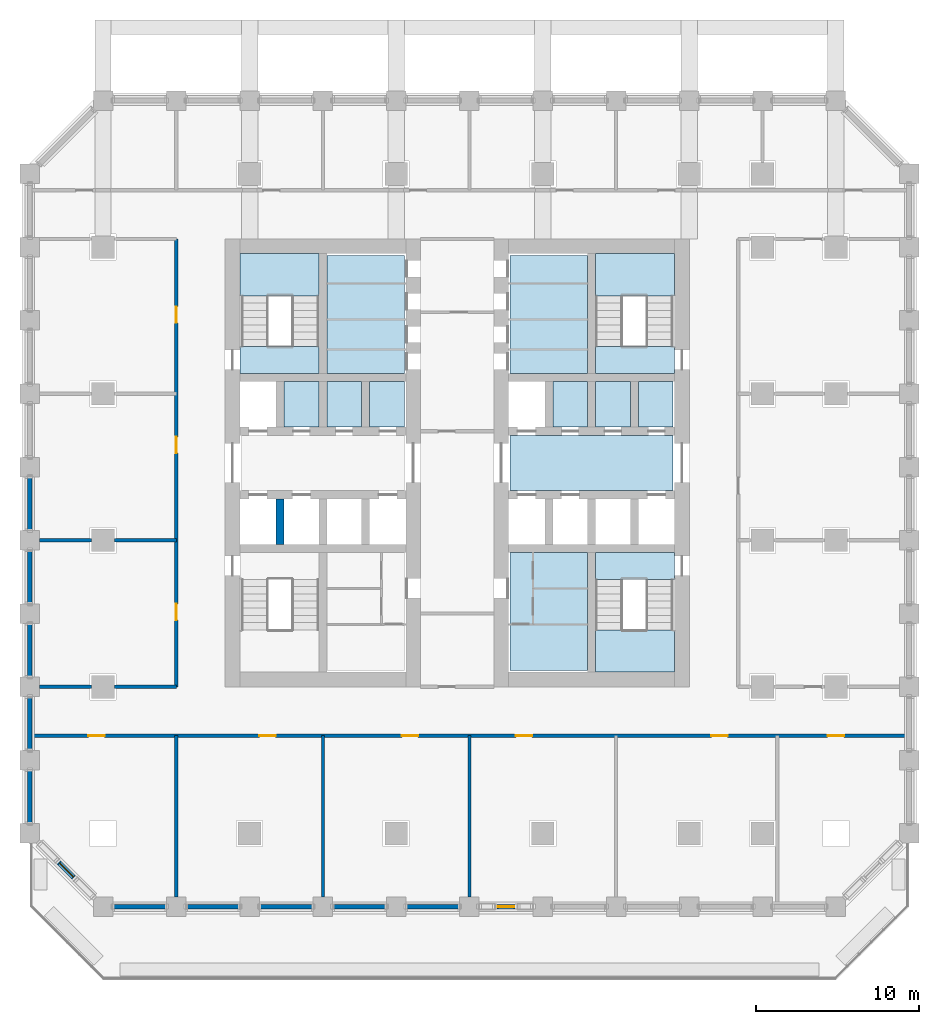
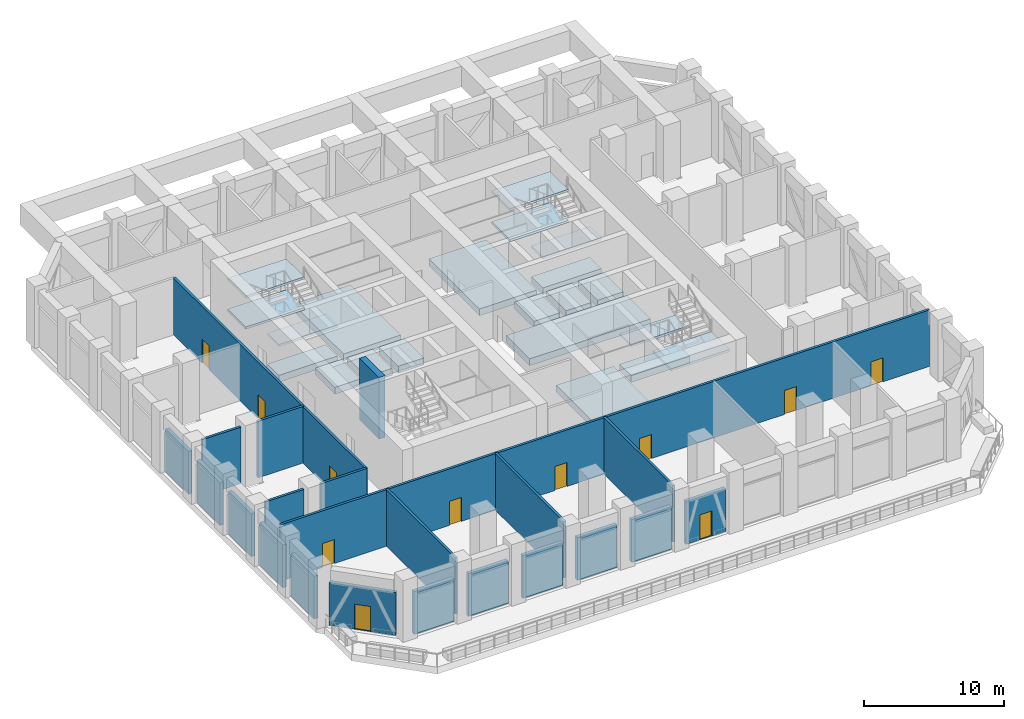
# One storey, part 3 of 20: 22 walls, 21 slabs, 11 doors, 11 openings, 3 elements without a shape of their own.
"""IFC4 building model written with IfcOpenShell, lengths in metres."""

from ifc_helpers import new_model, si_unit, direction, frame, frame_2d, origin, place, context, subcontext, project, spatial, polyline, rectangle, outline, extrude, material, layer, layer_set, type_object, element, fill, aggregate, save


model = new_model("IFC4")

# Units and contexts
model_context = context("Model", 3, precision=1e-05, world=origin(), true_north=direction((0.0, 1.0)))
body_context = subcontext(model_context, "Body", "Model", "MODEL_VIEW")
ifc_project = project(units=[si_unit("LENGTHUNIT", "METRE"), si_unit("AREAUNIT", "SQUARE_METRE"), si_unit("VOLUMEUNIT", "CUBIC_METRE"), si_unit("PLANEANGLEUNIT", "RADIAN"), si_unit("MASSUNIT", "GRAM", prefix="KILO")], contexts=[model_context])

# Site, building, storey
site_placement = place(None, origin())
site = spatial("IfcSite", under=ifc_project, at=site_placement, CompositionType="ELEMENT")
building_placement = place(site_placement, origin())
building = spatial("IfcBuilding", under=site, at=building_placement, Name="Corbel Stack Research Tower", CompositionType="ELEMENT")
storey_placement = place(building_placement, frame((0.0, 0.0, 76.60009765625)))
storey = spatial("IfcBuildingStorey", under=building, at=storey_placement, Name="L17", CompositionType="ELEMENT", Elevation=76.60009765625)

# Slabs
ifc_material_1 = material(Name="Concrete C45/55", Category="concrete")
ifc_layer_1 = layer(ifc_material_1, 0.60009765625)
ifc_layer_set_1 = layer_set([ifc_layer_1], Name="Concrete C45/55")
slab_type_1 = type_object("IfcSlabType", Name="PT-600", PredefinedType="FLOOR", material=ifc_layer_set_1)
slab_1_placement = place(storey_placement, frame((0.0, 0.0, -0.60009765625)))
element("IfcSlab", 1, at=slab_1_placement, inside=storey, type_object=slab_type_1, Name="West core floor L17", PredefinedType="FLOOR", context=body_context, shape_type="SweptSolid", body=[
    extrude(outline(polyline([(-6.875, 6.949951171875), (-4.75, 6.949951171875), (-4.75, 9.75), (-6.875, 9.75), (-6.875, 6.949951171875)])), origin(), (0.0, 0.0, 1.0), 0.60009765625),
])
slab_2_placement = place(storey_placement, frame((0.0, 0.0, -0.60009765625)))
element("IfcSlab", 2, at=slab_2_placement, inside=storey, type_object=slab_type_1, Name="West core floor L17", PredefinedType="FLOOR", context=body_context, shape_type="SweptSolid", body=[
    extrude(outline(polyline([(-2.125, 6.949951171875), (-2.125, 9.75), (-4.25, 9.75), (-4.25, 6.949951171875), (-2.125, 6.949951171875)])), origin(), (0.0, 0.0, 1.0), 0.60009765625),
])
slab_3_placement = place(storey_placement, frame((0.0, 0.0, -0.60009765625)))
element("IfcSlab", 3, at=slab_3_placement, inside=storey, type_object=slab_type_1, Name="West core floor L17", PredefinedType="FLOOR", context=body_context, shape_type="SweptSolid", body=[
    extrude(outline(polyline([(-4.25, 17.5), (-4.25, 10.25), (0.5, 10.25), (0.5, 17.5), (-4.25, 17.5)])), origin(), (0.0, 0.0, 1.0), 0.60009765625),
])
slab_4_placement = place(storey_placement, frame((0.0, 0.0, -0.60009765625)))
element("IfcSlab", 4, at=slab_4_placement, inside=storey, type_object=slab_type_1, Name="West core floor L17", PredefinedType="FLOOR", context=body_context, shape_type="SweptSolid", body=[
    extrude(outline(polyline([(0.5, 6.949951171875), (0.5, 9.75), (-1.625, 9.75), (-1.625, 6.949951171875), (0.5, 6.949951171875)])), origin(), (0.0, 0.0, 1.0), 0.60009765625),
])
slab_5_placement = place(storey_placement, frame((0.0, 0.0, -0.60009765625)))
element("IfcSlab", 5, at=slab_5_placement, inside=storey, type_object=slab_type_1, Name="East core floor L17", PredefinedType="FLOOR", context=body_context, shape_type="SweptSolid", body=[
    extrude(outline(polyline([(7.0, -0.75), (7.0, -8.0), (11.75, -8.0), (11.75, -0.75), (7.0, -0.75)])), origin(), (0.0, 0.0, 1.0), 0.60009765625),
])
slab_6_placement = place(storey_placement, frame((0.0, 0.0, -0.60009765625)))
element("IfcSlab", 6, at=slab_6_placement, inside=storey, type_object=slab_type_1, Name="East core floor L17", PredefinedType="FLOOR", context=body_context, shape_type="SweptSolid", body=[
    extrude(outline(polyline([(7.0, 6.449951171875), (7.0, 3.050048828125), (17.0, 3.050048828125), (17.0, 6.449951171875), (7.0, 6.449951171875)])), origin(), (0.0, 0.0, 1.0), 0.60009765625),
])
slab_7_placement = place(storey_placement, frame((0.0, 0.0, -0.60009765625)))
element("IfcSlab", 7, at=slab_7_placement, inside=storey, type_object=slab_type_1, Name="East core floor L17", PredefinedType="FLOOR", context=body_context, shape_type="SweptSolid", body=[
    extrude(outline(polyline([(7.0, 17.5), (7.0, 10.25), (11.75, 10.25), (11.75, 17.5), (7.0, 17.5)])), origin(), (0.0, 0.0, 1.0), 0.60009765625),
])
slab_8_placement = place(storey_placement, frame((0.0, 0.0, -0.60009765625)))
element("IfcSlab", 8, at=slab_8_placement, inside=storey, type_object=slab_type_1, Name="East core floor L17", PredefinedType="FLOOR", context=body_context, shape_type="SweptSolid", body=[
    extrude(outline(polyline([(9.625, 6.949951171875), (11.75, 6.949951171875), (11.75, 9.75), (9.625, 9.75), (9.625, 6.949951171875)])), origin(), (0.0, 0.0, 1.0), 0.60009765625),
])
slab_9_placement = place(storey_placement, frame((0.0, 0.0, -0.60009765625)))
element("IfcSlab", 9, at=slab_9_placement, inside=storey, type_object=slab_type_1, Name="East core floor L17", PredefinedType="FLOOR", context=body_context, shape_type="SweptSolid", body=[
    extrude(outline(polyline([(14.375, 6.949951171875), (14.375, 9.75), (12.25, 9.75), (12.25, 6.949951171875), (14.375, 6.949951171875)])), origin(), (0.0, 0.0, 1.0), 0.60009765625),
])
slab_10_placement = place(storey_placement, frame((0.0, 0.0, -0.60009765625)))
element("IfcSlab", 10, at=slab_10_placement, inside=storey, type_object=slab_type_1, Name="East core floor L17", PredefinedType="FLOOR", context=body_context, shape_type="SweptSolid", body=[
    extrude(outline(polyline([(17.0, 6.949951171875), (17.0, 9.75), (14.875, 9.75), (14.875, 6.949951171875), (17.0, 6.949951171875)])), origin(), (0.0, 0.0, 1.0), 0.60009765625),
])
slab_11_placement = place(storey_placement, frame((0.0, 0.0, -0.60009765625)))
element("IfcSlab", 11, at=slab_11_placement, inside=storey, type_object=slab_type_1, Name="Stair floor landing ST-W2", PredefinedType="FLOOR", context=body_context, shape_type="SweptSolid", body=[
    extrude(outline(polyline([(-9.60009765625, 10.25), (-4.75, 10.25), (-4.75, 11.89990234375), (-9.60009765625, 11.89990234375), (-9.60009765625, 10.25)])), origin(), (0.0, 0.0, 1.0), 0.60009765625),
])
slab_12_placement = place(storey_placement, frame((0.0, 0.0, -0.60009765625)))
element("IfcSlab", 12, at=slab_12_placement, inside=storey, type_object=slab_type_1, Name="Stair floor landing ST-E1", PredefinedType="FLOOR", context=body_context, shape_type="SweptSolid", body=[
    extrude(outline(polyline([(12.25, -2.39990234375), (17.10009765625, -2.39990234375), (17.10009765625, -0.75), (12.25, -0.75), (12.25, -2.39990234375)])), origin(), (0.0, 0.0, 1.0), 0.60009765625),
])
slab_13_placement = place(storey_placement, frame((0.0, 0.0, -0.60009765625)))
element("IfcSlab", 13, at=slab_13_placement, inside=storey, type_object=slab_type_1, Name="Stair floor landing ST-E2", PredefinedType="FLOOR", context=body_context, shape_type="SweptSolid", body=[
    extrude(outline(polyline([(12.25, 10.25), (17.10009765625, 10.25), (17.10009765625, 11.89990234375), (12.25, 11.89990234375), (12.25, 10.25)])), origin(), (0.0, 0.0, 1.0), 0.60009765625),
])

# Stair, slabs
ifc_material_2 = material(Name="Concrete C40/50", Category="concrete")
stair_type = type_object("IfcStairType", Name="Exit stair 32 risers, 443 going", PredefinedType="HALF_TURN_STAIR", material=ifc_material_2)
stair_1_placement = place(storey_placement, origin())
stair_1 = element("IfcStair", 14, at=stair_1_placement, inside=storey, type_object=stair_type, Name="L17 Exit stair ST-W2", PredefinedType="HALF_TURN_STAIR")
ifc_material_3 = material(Name="Concrete C40/50", Category="concrete")
ifc_layer_2 = layer(ifc_material_3, 0.199951171875)
ifc_layer_set_2 = layer_set([ifc_layer_2], Name="Concrete C40/50")
slab_type_2 = type_object("IfcSlabType", Name="Stair landing 200 C40/50", PredefinedType="LANDING", material=ifc_layer_set_2)
slab_14_placement = place(storey_placement, frame((0.0, 0.0, 1.14990234375)))
slab_14 = element("IfcSlab", 15, at=slab_14_placement, type_object=slab_type_2, Name="ST-W2 landing 1", PredefinedType="LANDING", context=body_context, shape_type="SweptSolid", body=[
    extrude(outline(polyline([(-9.60009765625, 15.0009765625), (-9.60009765625, 17.60009765625), (-4.75, 17.60009765625), (-4.75, 15.0009765625), (-9.60009765625, 15.0009765625)])), origin(), (0.0, 0.0, 1.0), 0.199951171875),
])
slab_15_placement = place(storey_placement, frame((0.0, 0.0, 2.5)))
slab_15 = element("IfcSlab", 16, at=slab_15_placement, type_object=slab_type_2, Name="ST-W2 landing 2", PredefinedType="LANDING", context=body_context, shape_type="SweptSolid", body=[
    extrude(outline(polyline([(-9.60009765625, 10.25), (-9.60009765625, 11.89990234375), (-4.75, 11.89990234375), (-4.75, 10.25), (-9.60009765625, 10.25)])), origin(), (0.0, 0.0, 1.0), 0.199951171875),
])
slab_16_placement = place(storey_placement, frame((0.0, 0.0, 3.849853515625)))
slab_16 = element("IfcSlab", 17, at=slab_16_placement, type_object=slab_type_2, Name="ST-W2 landing 3", PredefinedType="LANDING", context=body_context, shape_type="SweptSolid", body=[
    extrude(outline(polyline([(-9.60009765625, 15.0009765625), (-9.60009765625, 17.60009765625), (-4.75, 17.60009765625), (-4.75, 15.0009765625), (-9.60009765625, 15.0009765625)])), origin(), (0.0, 0.0, 1.0), 0.199951171875),
])
aggregate(stair_1, [slab_14, slab_15, slab_16])

stair_2_placement = place(storey_placement, origin())
stair_2 = element("IfcStair", 18, at=stair_2_placement, inside=storey, type_object=stair_type, Name="L17 Exit stair ST-E1", PredefinedType="HALF_TURN_STAIR")
slab_17_placement = place(storey_placement, frame((0.0, 0.0, 2.5)))
slab_17 = element("IfcSlab", 19, at=slab_17_placement, type_object=slab_type_2, Name="ST-E1 landing 2", PredefinedType="LANDING", context=body_context, shape_type="SweptSolid", body=[
    extrude(outline(polyline([(12.25, -2.39990234375), (12.25, -0.75), (17.10009765625, -0.75), (17.10009765625, -2.39990234375), (12.25, -2.39990234375)])), origin(), (0.0, 0.0, 1.0), 0.199951171875),
])
slab_18_placement = place(storey_placement, frame((0.0, 0.0, 3.849853515625)))
slab_18 = element("IfcSlab", 20, at=slab_18_placement, type_object=slab_type_2, Name="ST-E1 landing 3", PredefinedType="LANDING", context=body_context, shape_type="SweptSolid", body=[
    extrude(outline(polyline([(12.25, -8.10009765625), (12.25, -5.5009765625), (17.10009765625, -5.5009765625), (17.10009765625, -8.10009765625), (12.25, -8.10009765625)])), origin(), (0.0, 0.0, 1.0), 0.199951171875),
])
aggregate(stair_2, [slab_17, slab_18])

stair_3_placement = place(storey_placement, origin())
stair_3 = element("IfcStair", 21, at=stair_3_placement, inside=storey, type_object=stair_type, Name="L17 Exit stair ST-E2", PredefinedType="HALF_TURN_STAIR")
slab_19_placement = place(storey_placement, frame((0.0, 0.0, 1.14990234375)))
slab_19 = element("IfcSlab", 22, at=slab_19_placement, type_object=slab_type_2, Name="ST-E2 landing 1", PredefinedType="LANDING", context=body_context, shape_type="SweptSolid", body=[
    extrude(outline(polyline([(12.25, 15.0009765625), (12.25, 17.60009765625), (17.10009765625, 17.60009765625), (17.10009765625, 15.0009765625), (12.25, 15.0009765625)])), origin(), (0.0, 0.0, 1.0), 0.199951171875),
])
slab_20_placement = place(storey_placement, frame((0.0, 0.0, 2.5)))
slab_20 = element("IfcSlab", 23, at=slab_20_placement, type_object=slab_type_2, Name="ST-E2 landing 2", PredefinedType="LANDING", context=body_context, shape_type="SweptSolid", body=[
    extrude(outline(polyline([(12.25, 10.25), (12.25, 11.89990234375), (17.10009765625, 11.89990234375), (17.10009765625, 10.25), (12.25, 10.25)])), origin(), (0.0, 0.0, 1.0), 0.199951171875),
])
slab_21_placement = place(storey_placement, frame((0.0, 0.0, 3.849853515625)))
slab_21 = element("IfcSlab", 24, at=slab_21_placement, type_object=slab_type_2, Name="ST-E2 landing 3", PredefinedType="LANDING", context=body_context, shape_type="SweptSolid", body=[
    extrude(outline(polyline([(12.25, 15.0009765625), (12.25, 17.60009765625), (17.10009765625, 17.60009765625), (17.10009765625, 15.0009765625), (12.25, 15.0009765625)])), origin(), (0.0, 0.0, 1.0), 0.199951171875),
])
aggregate(stair_3, [slab_19, slab_20, slab_21])

# Walls
ifc_material_4 = material(Name="Concrete C70/85", Category="concrete")
ifc_layer_3 = layer(ifc_material_4, 0.5)
ifc_layer_set_3 = layer_set([ifc_layer_3], Name="Concrete C70/85")
wall_type_1 = type_object("IfcWallType", Name="CW-500-70", PredefinedType="SHEAR", material=ifc_layer_set_3)
wall_1_placement = place(storey_placement, frame((-7.125, -0.25, 0.0), z_axis=(0.0, 0.0, 1.0), x_axis=(0.0, 1.0, 0.0)))
element("IfcWall", 25, at=wall_1_placement, inside=storey, type_object=wall_type_1, Name="West core wall, south shaft 1 L17", PredefinedType="SHEAR", context=body_context, shape_type="SweptSolid", body=[
    extrude(rectangle(XDim=2.800048828125, YDim=0.5, at=frame_2d((1.39990234375, 0.0))), origin(), (0.0, 0.0, 1.0), 5.39990234375),
])
ifc_material_5 = material(Name="Fire-rated gypsum board partition on steel studs", Category="steel")
ifc_layer_4 = layer(ifc_material_5, 0.199951171875)
ifc_layer_set_4 = layer_set([ifc_layer_4], Name="Fire-rated gypsum board partition on steel studs")
wall_type_2 = type_object("IfcWallType", Name="Fire-rated partition 200 EI 60", PredefinedType="PARTITIONING", material=ifc_layer_set_4)
wall_2_placement = place(storey_placement, frame((-13.5, -21.89990234375, 0.0), z_axis=(0.0, 0.0, 1.0), x_axis=(0.0, 1.0, 0.0)))
element("IfcWall", 26, at=wall_2_placement, inside=storey, type_object=wall_type_2, Name="Partition L17-001", PredefinedType="PARTITIONING", context=body_context, shape_type="SweptSolid", body=[
    extrude(rectangle(XDim=9.89990234375, YDim=0.199951171875, at=frame_2d((4.949951171875, 0.0))), origin(), (0.0, 0.0, 1.0), 4.949951171875),
])

# Wall, openings, doors
wall_3_placement = place(storey_placement, frame((-13.5, -9.0, 0.0), z_axis=(0.0, 0.0, 1.0), x_axis=(0.0, 1.0, 0.0)))
wall_3 = element("IfcWall", 27, at=wall_3_placement, inside=storey, type_object=wall_type_2, Name="Partition L17-002", PredefinedType="PARTITIONING", context=body_context, shape_type="SweptSolid", body=[
    extrude(rectangle(XDim=27.5, YDim=0.199951171875, at=frame_2d((13.75, 0.0))), origin(), (0.0, 0.0, 1.0), 4.949951171875),
])
opening_1_placement = place(wall_3_placement, frame((4.10009765625, 0.0, 0.0)))
opening_1 = element("IfcOpeningElement", 28, at=opening_1_placement, cuts=wall_3, Name="Opening PLANTL17-001", PredefinedType="OPENING", context=body_context, shape_type="SweptSolid", body=[
    extrude(rectangle(XDim=1.0, YDim=2.10009765625, at=frame_2d((0.5, 1.050048828125))), frame((0.0, 0.10986328125, 0.0), z_axis=(0.0, -1.0, 0.0), x_axis=(1.0, 0.0, 0.0)), (0.0, 0.0, 1.0), 0.219970703125),
])
opening_2_placement = place(wall_3_placement, frame((14.35009765625, 0.0, 0.0)))
opening_2 = element("IfcOpeningElement", 29, at=opening_2_placement, cuts=wall_3, Name="Opening PLANTL17-002", PredefinedType="OPENING", context=body_context, shape_type="SweptSolid", body=[
    extrude(rectangle(XDim=1.0, YDim=2.10009765625, at=frame_2d((0.5, 1.050048828125))), frame((0.0, 0.10986328125, 0.0), z_axis=(0.0, -1.0, 0.0), x_axis=(1.0, 0.0, 0.0)), (0.0, 0.0, 1.0), 0.219970703125),
])
opening_3_placement = place(wall_3_placement, frame((22.35009765625, 0.0, 0.0)))
opening_3 = element("IfcOpeningElement", 30, at=opening_3_placement, cuts=wall_3, Name="Opening PLANTL17-003", PredefinedType="OPENING", context=body_context, shape_type="SweptSolid", body=[
    extrude(rectangle(XDim=1.0, YDim=2.10009765625, at=frame_2d((0.5, 1.050048828125))), frame((0.0, 0.10986328125, 0.0), z_axis=(0.0, -1.0, 0.0), x_axis=(1.0, 0.0, 0.0)), (0.0, 0.0, 1.0), 0.219970703125),
])
ifc_material_6 = material(Name="Painted steel fire door", Category="steel")
door_type_1 = type_object("IfcDoorType", Name="Fire door FD30S 1000 x 2100", OperationType="NOTDEFINED", PredefinedType="DOOR", material=ifc_material_6)
door_1_placement = place(opening_1_placement, origin())
door_1 = element("IfcDoor", 31, at=door_1_placement, inside=storey, type_object=door_type_1, Name="Door PLANTL17-001", OperationType="SINGLE_SWING_LEFT", OverallHeight=2.10009765625, OverallWidth=1.0, PredefinedType="DOOR", context=body_context, shape_type="SweptSolid", body=[
    extrude(rectangle(XDim=1.0, YDim=2.10009765625, at=frame_2d((0.5, 1.050048828125))), frame((0.0, 0.02490234375, 0.0), z_axis=(0.0, -1.0, 0.0), x_axis=(1.0, 0.0, 0.0)), (0.0, 0.0, 1.0), 0.050048828125),
])
fill(opening_1, door_1)
door_2_placement = place(opening_2_placement, origin())
door_2 = element("IfcDoor", 32, at=door_2_placement, inside=storey, type_object=door_type_1, Name="Door PLANTL17-002", OperationType="SINGLE_SWING_RIGHT", OverallHeight=2.10009765625, OverallWidth=1.0, PredefinedType="DOOR", context=body_context, shape_type="SweptSolid", body=[
    extrude(rectangle(XDim=1.0, YDim=2.10009765625, at=frame_2d((0.5, 1.050048828125))), frame((0.0, 0.02490234375, 0.0), z_axis=(0.0, -1.0, 0.0), x_axis=(1.0, 0.0, 0.0)), (0.0, 0.0, 1.0), 0.050048828125),
])
fill(opening_2, door_2)
door_3_placement = place(opening_3_placement, origin())
door_3 = element("IfcDoor", 33, at=door_3_placement, inside=storey, type_object=door_type_1, Name="Door PLANTL17-003", OperationType="SINGLE_SWING_RIGHT", OverallHeight=2.10009765625, OverallWidth=1.0, PredefinedType="DOOR", context=body_context, shape_type="SweptSolid", body=[
    extrude(rectangle(XDim=1.0, YDim=2.10009765625, at=frame_2d((0.5, 1.050048828125))), frame((0.0, 0.02490234375, 0.0), z_axis=(0.0, -1.0, 0.0), x_axis=(1.0, 0.0, 0.0)), (0.0, 0.0, 1.0), 0.050048828125),
])
fill(opening_3, door_3)

# Walls
for number, where, z_axis, x_axis, name in (
    (34, (-4.5, -21.89990234375, 0.0), (0.0, 0.0, 1.0), (0.0, 1.0, 0.0), "Partition L17-004"),
    (35, (4.5, -21.89990234375, 0.0), (0.0, 0.0, 1.0), (0.0, 1.0, 0.0), "Partition L17-006"),
):
    element("IfcWall", number, at=place(storey_placement, frame(where, z_axis=z_axis, x_axis=x_axis)), inside=storey, type_object=wall_type_2, Name=name, PredefinedType="PARTITIONING", context=body_context, shape_type="SweptSolid", body=[
        extrude(rectangle(XDim=9.89990234375, YDim=0.199951171875, at=frame_2d((4.949951171875, 0.0))), origin(), (0.0, 0.0, 1.0), 4.949951171875),
    ])

# Wall, openings, doors
wall_4_placement = place(storey_placement, frame((31.35009765625, -12.0, 0.0), z_axis=(0.0, 0.0, 1.0), x_axis=(-1.0, 0.0, 0.0)))
wall_4 = element("IfcWall", 36, at=wall_4_placement, inside=storey, type_object=wall_type_2, Name="Partition L17-013", PredefinedType="PARTITIONING", context=body_context, shape_type="SweptSolid", body=[
    extrude(rectangle(XDim=53.7001953125, YDim=0.199951171875, at=frame_2d((26.85009765625, 0.0))), origin(), (0.0, 0.0, 1.0), 4.949951171875),
])
opening_4_placement = place(wall_4_placement, frame((49.25, 0.0, 0.0)))
opening_4 = element("IfcOpeningElement", 37, at=opening_4_placement, cuts=wall_4, Name="Opening PLANTL17-004", PredefinedType="OPENING", context=body_context, shape_type="SweptSolid", body=[
    extrude(rectangle(XDim=1.0, YDim=2.10009765625, at=frame_2d((0.5, 1.050048828125))), frame((0.0, 0.10986328125, 0.0), z_axis=(0.0, -1.0, 0.0), x_axis=(1.0, 0.0, 0.0)), (0.0, 0.0, 1.0), 0.219970703125),
])
opening_5_placement = place(wall_4_placement, frame((38.75, 0.0, 0.0)))
opening_5 = element("IfcOpeningElement", 38, at=opening_5_placement, cuts=wall_4, Name="Opening PLANTL17-005", PredefinedType="OPENING", context=body_context, shape_type="SweptSolid", body=[
    extrude(rectangle(XDim=1.0, YDim=2.10009765625, at=frame_2d((0.5, 1.050048828125))), frame((0.0, 0.10986328125, 0.0), z_axis=(0.0, -1.0, 0.0), x_axis=(1.0, 0.0, 0.0)), (0.0, 0.0, 1.0), 0.219970703125),
])
opening_6_placement = place(wall_4_placement, frame((30.0, 0.0, 0.0)))
opening_6 = element("IfcOpeningElement", 39, at=opening_6_placement, cuts=wall_4, Name="Opening PLANTL17-006", PredefinedType="OPENING", context=body_context, shape_type="SweptSolid", body=[
    extrude(rectangle(XDim=1.0, YDim=2.10009765625, at=frame_2d((0.5, 1.050048828125))), frame((0.0, 0.10986328125, 0.0), z_axis=(0.0, -1.0, 0.0), x_axis=(1.0, 0.0, 0.0)), (0.0, 0.0, 1.0), 0.219970703125),
])
opening_7_placement = place(wall_4_placement, frame((23.0, 0.0, 0.0)))
opening_7 = element("IfcOpeningElement", 40, at=opening_7_placement, cuts=wall_4, Name="Opening PLANTL17-007", PredefinedType="OPENING", context=body_context, shape_type="SweptSolid", body=[
    extrude(rectangle(XDim=1.0, YDim=2.10009765625, at=frame_2d((0.5, 1.050048828125))), frame((0.0, 0.10986328125, 0.0), z_axis=(0.0, -1.0, 0.0), x_axis=(1.0, 0.0, 0.0)), (0.0, 0.0, 1.0), 0.219970703125),
])
opening_8_placement = place(wall_4_placement, frame((11.0, 0.0, 0.0)))
opening_8 = element("IfcOpeningElement", 41, at=opening_8_placement, cuts=wall_4, Name="Opening PLANTL17-008", PredefinedType="OPENING", context=body_context, shape_type="SweptSolid", body=[
    extrude(rectangle(XDim=1.0, YDim=2.10009765625, at=frame_2d((0.5, 1.050048828125))), frame((0.0, 0.10986328125, 0.0), z_axis=(0.0, -1.0, 0.0), x_axis=(1.0, 0.0, 0.0)), (0.0, 0.0, 1.0), 0.219970703125),
])
opening_9_placement = place(wall_4_placement, frame((3.85009765625, 0.0, 0.0)))
opening_9 = element("IfcOpeningElement", 42, at=opening_9_placement, cuts=wall_4, Name="Opening PLANTL17-009", PredefinedType="OPENING", context=body_context, shape_type="SweptSolid", body=[
    extrude(rectangle(XDim=1.0, YDim=2.10009765625, at=frame_2d((0.5, 1.050048828125))), frame((0.0, 0.10986328125, 0.0), z_axis=(0.0, -1.0, 0.0), x_axis=(1.0, 0.0, 0.0)), (0.0, 0.0, 1.0), 0.219970703125),
])
door_4_placement = place(opening_4_placement, origin())
door_4 = element("IfcDoor", 43, at=door_4_placement, inside=storey, type_object=door_type_1, Name="Door PLANTL17-004", OperationType="SINGLE_SWING_RIGHT", OverallHeight=2.10009765625, OverallWidth=1.0, PredefinedType="DOOR", context=body_context, shape_type="SweptSolid", body=[
    extrude(rectangle(XDim=1.0, YDim=2.10009765625, at=frame_2d((0.5, 1.050048828125))), frame((0.0, 0.02490234375, 0.0), z_axis=(0.0, -1.0, 0.0), x_axis=(1.0, 0.0, 0.0)), (0.0, 0.0, 1.0), 0.050048828125),
])
fill(opening_4, door_4)
door_5_placement = place(opening_5_placement, origin())
door_5 = element("IfcDoor", 44, at=door_5_placement, inside=storey, type_object=door_type_1, Name="Door PLANTL17-005", OperationType="SINGLE_SWING_RIGHT", OverallHeight=2.10009765625, OverallWidth=1.0, PredefinedType="DOOR", context=body_context, shape_type="SweptSolid", body=[
    extrude(rectangle(XDim=1.0, YDim=2.10009765625, at=frame_2d((0.5, 1.050048828125))), frame((0.0, 0.02490234375, 0.0), z_axis=(0.0, -1.0, 0.0), x_axis=(1.0, 0.0, 0.0)), (0.0, 0.0, 1.0), 0.050048828125),
])
fill(opening_5, door_5)
door_6_placement = place(opening_6_placement, origin())
door_6 = element("IfcDoor", 45, at=door_6_placement, inside=storey, type_object=door_type_1, Name="Door PLANTL17-006", OperationType="SINGLE_SWING_RIGHT", OverallHeight=2.10009765625, OverallWidth=1.0, PredefinedType="DOOR", context=body_context, shape_type="SweptSolid", body=[
    extrude(rectangle(XDim=1.0, YDim=2.10009765625, at=frame_2d((0.5, 1.050048828125))), frame((0.0, 0.02490234375, 0.0), z_axis=(0.0, -1.0, 0.0), x_axis=(1.0, 0.0, 0.0)), (0.0, 0.0, 1.0), 0.050048828125),
])
fill(opening_6, door_6)
door_7_placement = place(opening_7_placement, origin())
door_7 = element("IfcDoor", 46, at=door_7_placement, inside=storey, type_object=door_type_1, Name="Door PLANTL17-007", OperationType="SINGLE_SWING_LEFT", OverallHeight=2.10009765625, OverallWidth=1.0, PredefinedType="DOOR", context=body_context, shape_type="SweptSolid", body=[
    extrude(rectangle(XDim=1.0, YDim=2.10009765625, at=frame_2d((0.5, 1.050048828125))), frame((0.0, 0.02490234375, 0.0), z_axis=(0.0, -1.0, 0.0), x_axis=(1.0, 0.0, 0.0)), (0.0, 0.0, 1.0), 0.050048828125),
])
fill(opening_7, door_7)
door_8_placement = place(opening_8_placement, origin())
door_8 = element("IfcDoor", 47, at=door_8_placement, inside=storey, type_object=door_type_1, Name="Door PLANTL17-008", OperationType="SINGLE_SWING_LEFT", OverallHeight=2.10009765625, OverallWidth=1.0, PredefinedType="DOOR", context=body_context, shape_type="SweptSolid", body=[
    extrude(rectangle(XDim=1.0, YDim=2.10009765625, at=frame_2d((0.5, 1.050048828125))), frame((0.0, 0.02490234375, 0.0), z_axis=(0.0, -1.0, 0.0), x_axis=(1.0, 0.0, 0.0)), (0.0, 0.0, 1.0), 0.050048828125),
])
fill(opening_8, door_8)
door_9_placement = place(opening_9_placement, origin())
door_9 = element("IfcDoor", 48, at=door_9_placement, inside=storey, type_object=door_type_1, Name="Door PLANTL17-009", OperationType="SINGLE_SWING_LEFT", OverallHeight=2.10009765625, OverallWidth=1.0, PredefinedType="DOOR", context=body_context, shape_type="SweptSolid", body=[
    extrude(rectangle(XDim=1.0, YDim=2.10009765625, at=frame_2d((0.5, 1.050048828125))), frame((0.0, 0.02490234375, 0.0), z_axis=(0.0, -1.0, 0.0), x_axis=(1.0, 0.0, 0.0)), (0.0, 0.0, 1.0), 0.050048828125),
])
fill(opening_9, door_9)

# Walls
wall_5_placement = place(storey_placement, frame((-21.89990234375, -9.0, 0.0), z_axis=(0.0, 0.0, 1.0), x_axis=(1.0, 0.0, 0.0)))
element("IfcWall", 49, at=wall_5_placement, inside=storey, type_object=wall_type_2, Name="Partition L17-014", PredefinedType="PARTITIONING", context=body_context, shape_type="SweptSolid", body=[
    extrude(rectangle(XDim=3.199951171875, YDim=0.199951171875, at=frame_2d((1.60009765625, 0.0))), origin(), (0.0, 0.0, 1.0), 4.949951171875),
])
wall_6_placement = place(storey_placement, frame((-17.300048828125, -9.0, 0.0), z_axis=(0.0, 0.0, 1.0), x_axis=(1.0, 0.0, 0.0)))
element("IfcWall", 50, at=wall_6_placement, inside=storey, type_object=wall_type_2, Name="Partition L17-015", PredefinedType="PARTITIONING", context=body_context, shape_type="SweptSolid", body=[
    extrude(rectangle(XDim=3.800048828125, YDim=0.199951171875, at=frame_2d((1.89990234375, 0.0))), origin(), (0.0, 0.0, 1.0), 4.949951171875),
])
wall_7_placement = place(storey_placement, frame((-21.89990234375, 0.0, 0.0), z_axis=(0.0, 0.0, 1.0), x_axis=(1.0, 0.0, 0.0)))
element("IfcWall", 51, at=wall_7_placement, inside=storey, type_object=wall_type_2, Name="Partition L17-021", PredefinedType="PARTITIONING", context=body_context, shape_type="SweptSolid", body=[
    extrude(rectangle(XDim=3.199951171875, YDim=0.199951171875, at=frame_2d((1.60009765625, 0.0))), origin(), (0.0, 0.0, 1.0), 4.949951171875),
])
wall_8_placement = place(storey_placement, frame((-17.300048828125, 0.0, 0.0), z_axis=(0.0, 0.0, 1.0), x_axis=(1.0, 0.0, 0.0)))
element("IfcWall", 52, at=wall_8_placement, inside=storey, type_object=wall_type_2, Name="Partition L17-022", PredefinedType="PARTITIONING", context=body_context, shape_type="SweptSolid", body=[
    extrude(rectangle(XDim=3.800048828125, YDim=0.199951171875, at=frame_2d((1.89990234375, 0.0))), origin(), (0.0, 0.0, 1.0), 4.949951171875),
])
ifc_material_7 = material(Name="Concrete C45/55", Category="concrete")
ifc_layer_5 = layer(ifc_material_7, 0.300048828125)
ifc_layer_set_5 = layer_set([ifc_layer_5], Name="Concrete C45/55")
wall_type_3 = type_object("IfcWallType", Name="Terracotta-faced concrete wall 300", PredefinedType="SOLIDWALL", material=ifc_layer_set_5)
for number, where, z_axis, x_axis, name in (
    (53, (-14.10009765625, -22.5, 0.0), (0.0, 0.0, 1.0), (-1.0, 0.0, 0.0), "Facade wall L17 S01"),
    (54, (-9.60009765625, -22.5, 0.0), (0.0, 0.0, 1.0), (-1.0, 0.0, 0.0), "Facade wall L17 S02"),
    (55, (-5.10009765625, -22.5, 0.0), (0.0, 0.0, 1.0), (-1.0, 0.0, 0.0), "Facade wall L17 S03"),
    (56, (-0.60009765625, -22.5, 0.0), (0.0, 0.0, 1.0), (-1.0, 0.0, 0.0), "Facade wall L17 S04"),
    (57, (3.89990234375, -22.5, 0.0), (0.0, 0.0, 1.0), (-1.0, 0.0, 0.0), "Facade wall L17 S05"),
):
    element("IfcWall", number, at=place(storey_placement, frame(where, z_axis=z_axis, x_axis=x_axis)), inside=storey, type_object=wall_type_3, Name=name, PredefinedType="SOLIDWALL", context=body_context, shape_type="SweptSolid", body=[
        extrude(rectangle(XDim=3.2998046875, YDim=0.300048828125, at=frame_2d((1.64990234375, 0.0))), origin(), (0.0, 0.0, 1.0), 3.75),
    ])

# Wall, opening, door
wall_9_placement = place(storey_placement, frame((8.39990234375, -22.5, 0.0), z_axis=(0.0, 0.0, 1.0), x_axis=(-1.0, 0.0, 0.0)))
wall_9 = element("IfcWall", 58, at=wall_9_placement, inside=storey, type_object=wall_type_3, Name="Facade wall L17 S06", PredefinedType="SOLIDWALL", context=body_context, shape_type="SweptSolid", body=[
    extrude(rectangle(XDim=3.2998046875, YDim=0.300048828125, at=frame_2d((1.64990234375, 0.0))), origin(), (0.0, 0.0, 1.0), 3.75),
])
opening_10_placement = place(wall_9_placement, frame((1.14990234375, 0.0, 0.0)))
opening_10 = element("IfcOpeningElement", 59, at=opening_10_placement, cuts=wall_9, Name="Opening L17-B01", PredefinedType="OPENING", context=body_context, shape_type="SweptSolid", body=[
    extrude(rectangle(XDim=1.0, YDim=2.199951171875, at=frame_2d((0.5, 1.10009765625))), frame((0.0, 0.159912109375, 0.0), z_axis=(0.0, -1.0, 0.0), x_axis=(1.0, 0.0, 0.0)), (0.0, 0.0, 1.0), 0.320068359375),
])
ifc_material_8 = material(Name="Aluminium frame, clear double glazing", Category="aluminium")
door_type_2 = type_object("IfcDoorType", Name="Balcony door BD1 1000 x 2200", OperationType="NOTDEFINED", PredefinedType="DOOR", material=ifc_material_8)
door_10_placement = place(opening_10_placement, origin())
door_10 = element("IfcDoor", 60, at=door_10_placement, inside=storey, type_object=door_type_2, Name="Balcony door L17-B01", OperationType="SINGLE_SWING_LEFT", OverallHeight=2.199951171875, OverallWidth=1.0, PredefinedType="DOOR", context=body_context, shape_type="SweptSolid", body=[
    extrude(rectangle(XDim=1.0, YDim=2.199951171875, at=frame_2d((0.5, 1.10009765625))), frame((0.0, 0.02490234375, 0.0), z_axis=(0.0, -1.0, 0.0), x_axis=(1.0, 0.0, 0.0)), (0.0, 0.0, 1.0), 0.050048828125),
])
fill(opening_10, door_10)

# Walls
for number, where, z_axis, x_axis, name in (
    (61, (-22.5, 0.60009765625, 0.0), (0.0, 0.0, 1.0), (0.0, 1.0, 0.0), "Facade wall L17 W05"),
    (62, (-22.5, -3.89990234375, 0.0), (0.0, 0.0, 1.0), (0.0, 1.0, 0.0), "Facade wall L17 W06"),
    (63, (-22.5, -8.39990234375, 0.0), (0.0, 0.0, 1.0), (0.0, 1.0, 0.0), "Facade wall L17 W07"),
    (64, (-22.5, -12.89990234375, 0.0), (0.0, 0.0, 1.0), (0.0, 1.0, 0.0), "Facade wall L17 W08"),
    (65, (-22.5, -17.39990234375, 0.0), (0.0, 0.0, 1.0), (0.0, 1.0, 0.0), "Facade wall L17 W09"),
):
    element("IfcWall", number, at=place(storey_placement, frame(where, z_axis=z_axis, x_axis=x_axis)), inside=storey, type_object=wall_type_3, Name=name, PredefinedType="SOLIDWALL", context=body_context, shape_type="SweptSolid", body=[
        extrude(rectangle(XDim=3.2998046875, YDim=0.300048828125, at=frame_2d((1.64990234375, 0.0))), origin(), (0.0, 0.0, 1.0), 3.75),
    ])

# Wall, opening, door
wall_10_placement = place(storey_placement, frame((-18.493896484375, -22.006103515625, 0.0), z_axis=(0.0, 0.0, 1.0), x_axis=(-0.707106781187, 0.707106781187, 0.0)))
wall_10 = element("IfcWall", 66, at=wall_10_placement, inside=storey, type_object=wall_type_3, Name="Facade wall L17 SW01", PredefinedType="SOLIDWALL", context=body_context, shape_type="SweptSolid", body=[
    extrude(rectangle(XDim=4.967041015625, YDim=0.300048828125, at=frame_2d((2.4833984375, 0.0))), origin(), (0.0, 0.0, 1.0), 3.75),
])
opening_11_placement = place(wall_10_placement, frame((1.883544921875, 0.0, 0.0)))
opening_11 = element("IfcOpeningElement", 67, at=opening_11_placement, cuts=wall_10, Name="Opening L17-B03", PredefinedType="OPENING", context=body_context, shape_type="SweptSolid", body=[
    extrude(rectangle(XDim=1.199951171875, YDim=2.199951171875, at=frame_2d((0.60009765625, 1.10009765625))), frame((0.0, 0.159912109375, 0.0), z_axis=(0.0, -1.0, 0.0), x_axis=(1.0, 0.0, 0.0)), (0.0, 0.0, 1.0), 0.320068359375),
])
ifc_material_9 = material(Name="Aluminium frame, clear double glazing", Category="aluminium")
door_type_3 = type_object("IfcDoorType", Name="Balcony door BD2 1200 x 2200", OperationType="NOTDEFINED", PredefinedType="DOOR", material=ifc_material_9)
door_11_placement = place(opening_11_placement, origin())
door_11 = element("IfcDoor", 68, at=door_11_placement, inside=storey, type_object=door_type_3, Name="Balcony door L17-B03", OperationType="SINGLE_SWING_RIGHT", OverallHeight=2.199951171875, OverallWidth=1.199951171875, PredefinedType="DOOR", context=body_context, shape_type="SweptSolid", body=[
    extrude(rectangle(XDim=1.199951171875, YDim=2.199951171875, at=frame_2d((0.60009765625, 1.10009765625))), frame((0.0, 0.02490234375, 0.0), z_axis=(0.0, -1.0, 0.0), x_axis=(1.0, 0.0, 0.0)), (0.0, 0.0, 1.0), 0.050048828125),
])
fill(opening_11, door_11)

save(model, "model.ifc")
